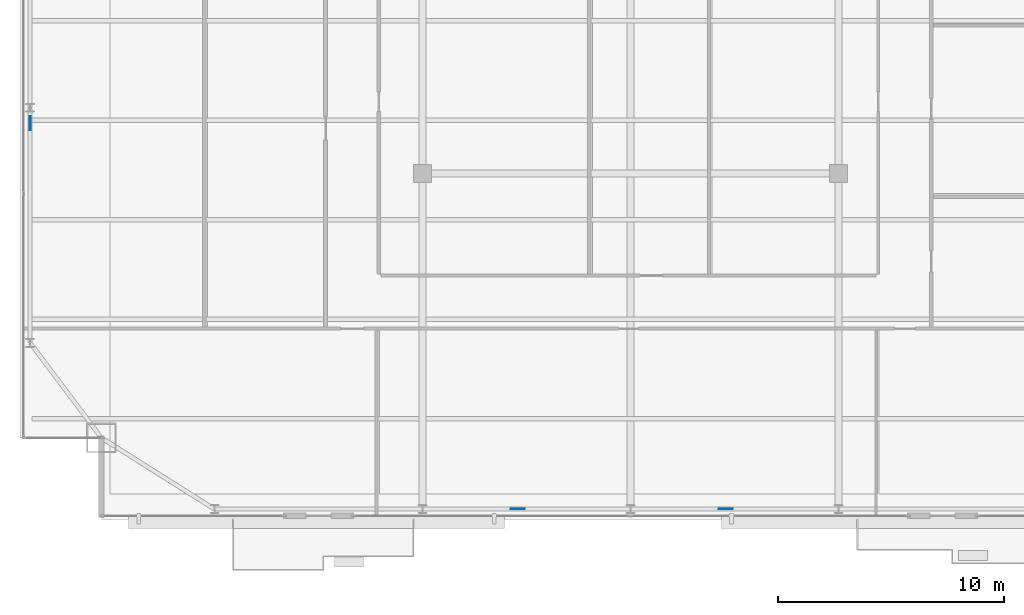
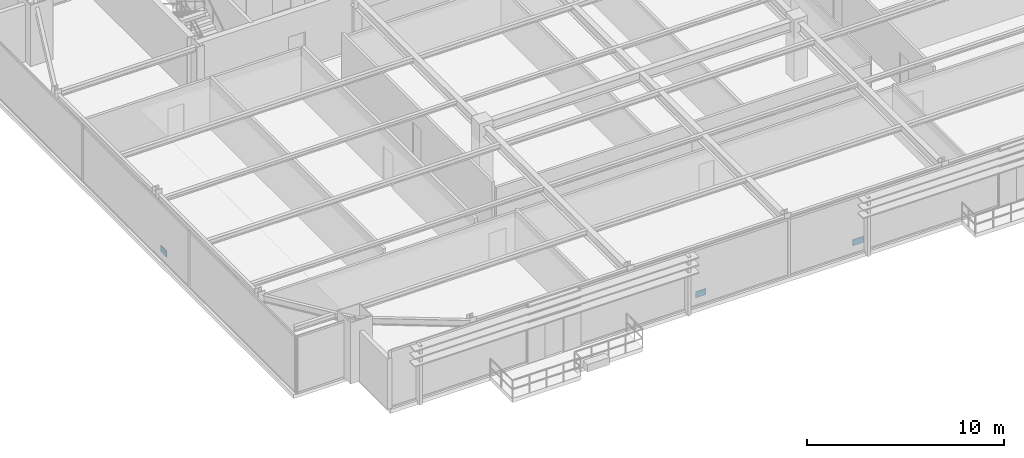
# One storey, part 25 of 31: 3 plates.
"""IFC4 building model written with IfcOpenShell, lengths in metres."""

from ifc_helpers import new_model, si_unit, direction, frame, origin, origin_2d, place, context, subcontext, project, spatial, rectangle, extrude, source, transform, mapped, material, layer, layer_set, type_object, type_shapes, element, save


model = new_model("IFC4")

# Units and contexts
model_context = context("Model", 3, precision=1e-05, world=origin(), true_north=direction((0.0, 1.0)))
body_context = subcontext(model_context, "Body", "Model", "MODEL_VIEW")
ifc_project = project(units=[si_unit("LENGTHUNIT", "METRE"), si_unit("AREAUNIT", "SQUARE_METRE"), si_unit("VOLUMEUNIT", "CUBIC_METRE"), si_unit("PLANEANGLEUNIT", "RADIAN"), si_unit("MASSUNIT", "GRAM", prefix="KILO")], contexts=[model_context])

# Site, building, storey
site_placement = place(None, origin())
site = spatial("IfcSite", under=ifc_project, at=site_placement, CompositionType="ELEMENT")
building_placement = place(site_placement, origin())
building = spatial("IfcBuilding", under=site, at=building_placement, Name="Varnel Quay Broadcast Tower", CompositionType="ELEMENT")
storey_placement = place(building_placement, frame((0.0, 0.0, 183.800048828125)))
storey = spatial("IfcBuildingStorey", under=building, at=storey_placement, Name="L45", CompositionType="ELEMENT", Elevation=183.800048828125)

# Plates
ifc_material = material(Name="Structural Steel CSA G40.21 350WT", Category="steel")
ifc_layer = layer(ifc_material, 0.031982421875, Name="Structural Steel CSA G40.21 350WT")
ifc_layer_set = layer_set([ifc_layer], Name="Structural Steel CSA G40.21 350WT")
plate_type = type_object("IfcPlateType", Name="Plate_EndCap", PredefinedType="USERDEFINED", material=ifc_layer_set)
shared_shape = source(origin(), body_context, "Body", "SweptSolid", [
    extrude(rectangle(XDim=0.6201171875, YDim=0.031982421875, at=origin_2d()), origin(), (0.0, 0.0, 1.0), 0.3798828125),
])
type_shapes(plate_type, [shared_shape])
for number, where, z_axis, x_axis, name in (
    (1, (29.0107421875, 7.64990234375, 0.2998046875), (0.0, 0.0, 1.0), (1.0, 0.0, 0.0), "Zone 3 Mega-Brace S-C1T3 Diag B2 End Connection Plate P0"),
    (2, (38.210693359375, 7.64990234375, 0.2998046875), (0.0, 0.0, 1.0), (1.0, 0.0, 0.0), "Zone 3 Mega-Brace S-C2T3 Diag B2 End Connection Plate P0"),
    (3, (7.449951171875, 24.715576171875, 0.09228515625), (0.0, 0.0, 1.0), (0.0, 1.0, 0.0), "Zone 3 Mega-Brace W-FT3 Diag B2 End Connection Plate P0"),
):
    element("IfcPlate", number, at=place(storey_placement, frame(where, z_axis=z_axis, x_axis=x_axis)), inside=storey, type_object=plate_type, Name=name, ObjectType="CAP_PLATE", PredefinedType="USERDEFINED", context=body_context, shape_type="MappedRepresentation", body=[
        mapped(shared_shape, transform((0.0, 0.0, 0.0), x_axis=(1.0, 0.0, 0.0), y_axis=(0.0, 1.0, 0.0), z_axis=(0.0, 0.0, 1.0), scale=1.0)),
    ])

save(model, "model.ifc")
